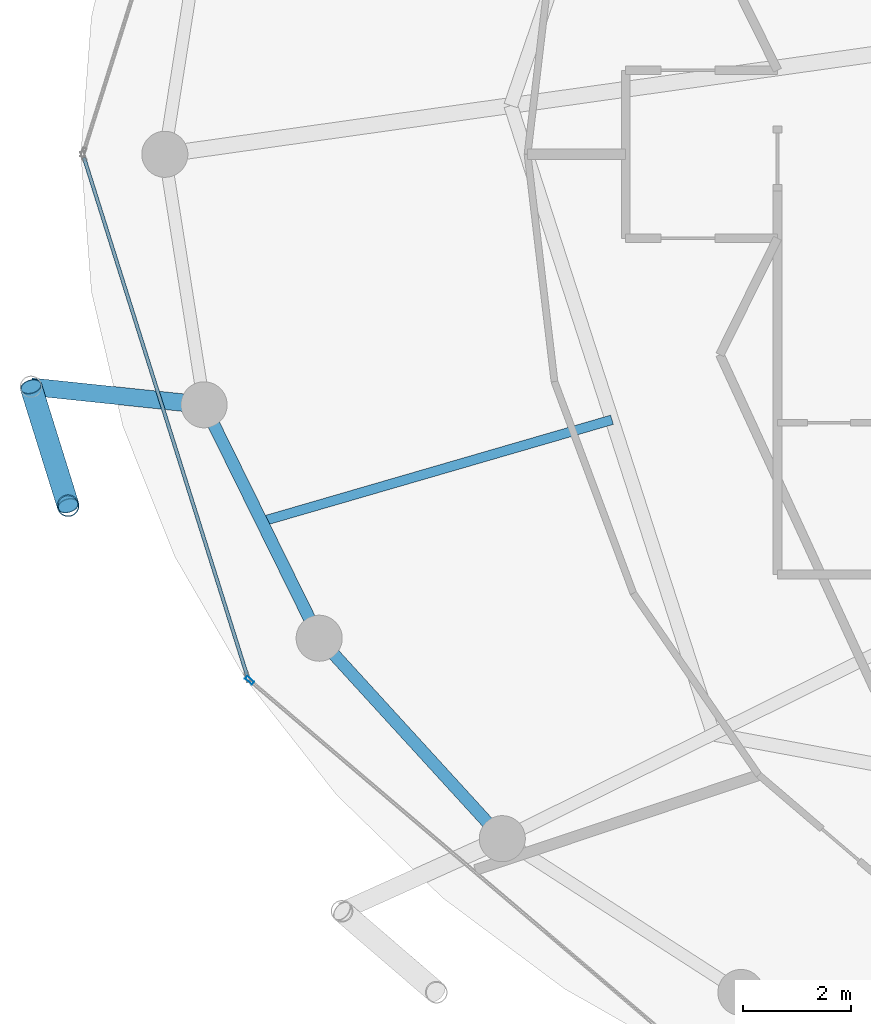
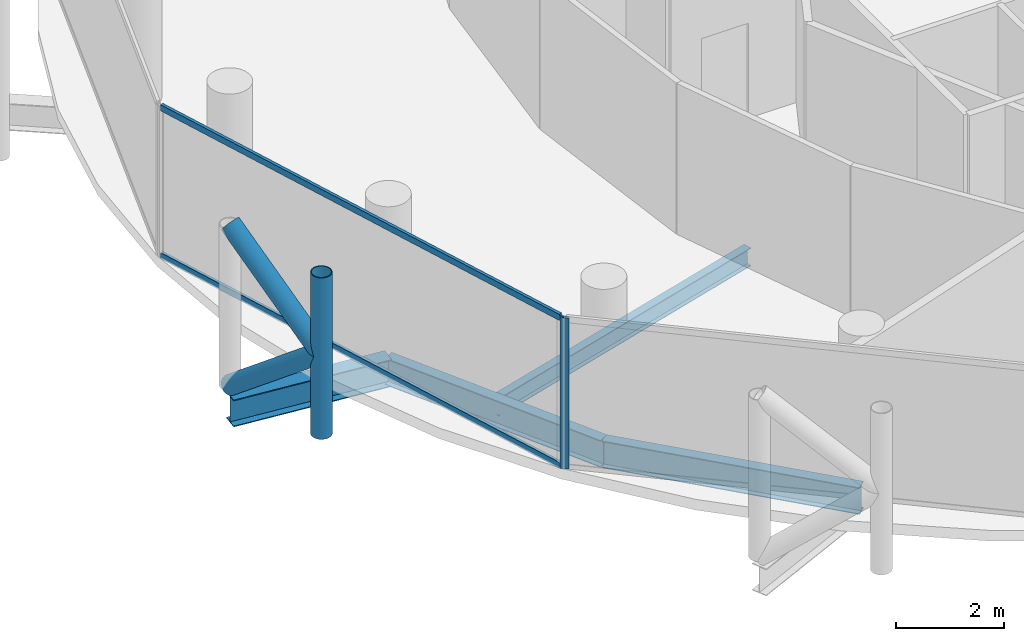
# One storey, part 3 of 27: 6 members, 4 beams, 2 elements without a shape of their own.
"""IFC4 building model written with IfcOpenShell, lengths in metres."""

from ifc_helpers import new_model, si_unit, direction, frame, origin, origin_2d, place, context, subcontext, project, spatial, hollow_rectangle, hollow_circle, i_section, extrude, material, layer, layer_set, material_profile, profile_set, type_object, element, aggregate, save


model = new_model("IFC4")

# Units and contexts
model_context = context("Model", 3, precision=1e-05, world=origin(), true_north=direction((0.0, 1.0)))
body_context = subcontext(model_context, "Body", "Model", "MODEL_VIEW")
ifc_project = project(units=[si_unit("LENGTHUNIT", "METRE"), si_unit("AREAUNIT", "SQUARE_METRE"), si_unit("VOLUMEUNIT", "CUBIC_METRE"), si_unit("PLANEANGLEUNIT", "RADIAN"), si_unit("MASSUNIT", "GRAM", prefix="KILO")], contexts=[model_context])

# Site, building, storey
site_placement = place(None, origin())
site = spatial("IfcSite", under=ifc_project, at=site_placement, CompositionType="ELEMENT")
building_placement = place(site_placement, origin())
building = spatial("IfcBuilding", under=site, at=building_placement, Name="Nuhasar Tower", CompositionType="ELEMENT")
storey_placement = place(building_placement, frame((0.0, 0.0, 230.050048828125)))
storey = spatial("IfcBuildingStorey", under=building, at=storey_placement, Name="L56", CompositionType="ELEMENT", Elevation=230.050048828125)

# Beams
ifc_material_1 = material(Name="Steel S355", Category="steel")
ifc_material_profile_1 = material_profile(ifc_material_1, i_section(OverallWidth=0.177978515625, OverallDepth=0.406005859375, WebThickness=0.0078125, FlangeThickness=0.0126953125, at=origin_2d()), Name="W16X40")
ifc_profile_set_1 = profile_set([ifc_material_profile_1], Name="Steel S355")
beam_type_1 = type_object("IfcBeamType", Name="BM-JST-W16X40", PredefinedType="JOIST", material=ifc_profile_set_1)
beam_1_placement = place(storey_placement, frame((25.9970703125, 21.904052734375, -0.443115234375), z_axis=(-0.960312689798, -0.27892568511, 0.0), x_axis=(0.27892568511, -0.960312689798, 0.0)))
element("IfcBeam", 1, at=beam_1_placement, inside=storey, type_object=beam_type_1, Name="L56 Secondary Floor Joist 08", PredefinedType="JOIST", context=body_context, shape_type="SweptSolid", body=[
    extrude(i_section(OverallWidth=0.177978515625, OverallDepth=0.406005859375, WebThickness=0.0078125, FlangeThickness=0.0126953125, at=origin_2d()), origin(), (0.0, 0.0, 1.0), 6.729248046875),
])
ifc_material_profile_2 = material_profile(ifc_material_1, i_section(OverallWidth=0.22802734375, OverallDepth=0.60791015625, WebThickness=0.01123046875, FlangeThickness=0.017333984375, at=origin_2d()), Name="W24X76")
ifc_profile_set_2 = profile_set([ifc_material_profile_2], Name="Steel S355")
beam_type_2 = type_object("IfcBeamType", Name="BM-RING-W24X76", PredefinedType="SPANDREL", material=ifc_profile_set_2)
beam_2_placement = place(storey_placement, frame((18.47412109375, 22.179931640625, -0.5439453125), z_axis=(0.442262779282, -0.896885518928, 0.0), x_axis=(0.896885518928, 0.442262779282, 0.0)))
element("IfcBeam", 2, at=beam_2_placement, inside=storey, type_object=beam_type_2, Name="L56 Perimeter Ring Spandrel 14", PredefinedType="SPANDREL", context=body_context, shape_type="SweptSolid", body=[
    extrude(i_section(OverallWidth=0.22802734375, OverallDepth=0.60791015625, WebThickness=0.01123046875, FlangeThickness=0.017333984375, at=origin_2d()), origin(), (0.0, 0.0, 1.0), 4.7998046875),
])
beam_3_placement = place(storey_placement, frame((20.596923828125, 17.875, -0.5439453125), z_axis=(0.674449692975, -0.738320805373, 0.0), x_axis=(0.738320805373, 0.674449692975, 0.0)))
element("IfcBeam", 3, at=beam_3_placement, inside=storey, type_object=beam_type_2, Name="L56 Perimeter Ring Spandrel 15", PredefinedType="SPANDREL", context=body_context, shape_type="SweptSolid", body=[
    extrude(i_section(OverallWidth=0.22802734375, OverallDepth=0.60791015625, WebThickness=0.01123046875, FlangeThickness=0.017333984375, at=origin_2d()), origin(), (0.0, 0.0, 1.0), 5.00732421875),
])
ifc_material_profile_3 = material_profile(ifc_material_1, i_section(OverallWidth=0.323974609375, OverallDepth=0.611083984375, WebThickness=0.0126953125, FlangeThickness=0.01904296875, at=origin_2d()), Name="W24X104")
ifc_profile_set_3 = profile_set([ifc_material_profile_3], Name="Steel S355")
beam_type_3 = type_object("IfcBeamType", Name="BM-TIE-W24X104", PredefinedType="BEAM", material=ifc_profile_set_3)
beam_4_placement = place(storey_placement, frame((18.47412109375, 22.179931640625, -0.545166015625), z_axis=(-0.994571111079, 0.10405914187, 0.0), x_axis=(-0.10405914187, -0.994571111079, 0.0)))
element("IfcBeam", 4, at=beam_4_placement, inside=storey, type_object=beam_type_3, Name="L56 Exoskeleton Node Tie Beam 07", PredefinedType="BEAM", context=body_context, shape_type="SweptSolid", body=[
    extrude(i_section(OverallWidth=0.323974609375, OverallDepth=0.611083984375, WebThickness=0.0126953125, FlangeThickness=0.01904296875, at=origin_2d()), origin(), (0.0, 0.0, 1.0), 3.20947265625),
])

# Curtain wall, member
ifc_material_2 = material(Name="Aluminium 6063-T6", Category="aluminium")
ifc_layer = layer(ifc_material_2, 0.18994140625)
ifc_layer_set = layer_set([ifc_layer], Name="Aluminium 6063-T6")
curtain_wall_type = type_object("IfcCurtainWallType", Name="CW-Z3-RES", PredefinedType="NOTDEFINED", material=ifc_layer_set)
curtain_wall_1_placement = place(storey_placement, origin())
curtain_wall_1 = element("IfcCurtainWall", 5, at=curtain_wall_1_placement, inside=storey, type_object=curtain_wall_type, Name="L56 Unitised Curtain Wall 08", PredefinedType="NOTDEFINED")
ifc_material_profile_4 = material_profile(ifc_material_2, hollow_rectangle(XDim=0.06494140625, YDim=0.169921875, WallThickness=0.0048828125, at=origin_2d()), Name="CWM-4")
ifc_profile_set_4 = profile_set([ifc_material_profile_4], Name="Aluminium 6063-T6")
member_type_1 = type_object("IfcMemberType", Name="CW-MUL-S4", PredefinedType="MULLION", material=ifc_profile_set_4)
member_1_placement = place(storey_placement, frame((19.313720703125, 17.098876953125, 0.0), z_axis=(0.0, 0.0, 1.0), x_axis=(0.64789521578, 0.761729472562, 0.0)))
member_1 = element("IfcMember", 6, at=member_1_placement, type_object=member_type_1, Name="CW-Z3 mullion 1", PredefinedType="MULLION", context=body_context, shape_type="SweptSolid", body=[
    extrude(hollow_rectangle(XDim=0.06494140625, YDim=0.169921875, WallThickness=0.0048828125, at=origin_2d()), origin(), (0.0, 0.0, 1.0), 3.409912109375),
])
aggregate(curtain_wall_1, [member_1])

# Curtain wall, members
curtain_wall_2_placement = place(storey_placement, origin())
curtain_wall_2 = element("IfcCurtainWall", 7, at=curtain_wall_2_placement, inside=storey, type_object=curtain_wall_type, Name="L56 Unitised Curtain Wall 07", PredefinedType="NOTDEFINED")
ifc_material_profile_5 = material_profile(ifc_material_2, hollow_rectangle(XDim=0.06494140625, YDim=0.139892578125, WallThickness=0.00439453125, at=origin_2d()), Name="CWT-4")
ifc_profile_set_5 = profile_set([ifc_material_profile_5], Name="Aluminium 6063-T6")
member_type_2 = type_object("IfcMemberType", Name="CW-TRN-S4", PredefinedType="USERDEFINED", material=ifc_profile_set_5)
member_2_placement = place(storey_placement, frame((16.259521484375, 26.738037109375, 0.032470703125), z_axis=(0.300430390604, -0.953803743126, 0.0), x_axis=(0.953803743126, 0.300430390604, 0.0)))
member_2 = element("IfcMember", 8, at=member_2_placement, type_object=member_type_2, Name="CW-Z3 transom 1.1", ObjectType="TRANSOM", PredefinedType="USERDEFINED", context=body_context, shape_type="SweptSolid", body=[
    extrude(hollow_rectangle(XDim=0.06494140625, YDim=0.139892578125, WallThickness=0.00439453125, at=origin_2d()), origin(), (0.0, 0.0, 1.0), 10.01904296875),
])
member_3_placement = place(storey_placement, frame((16.259521484375, 26.738037109375, 3.37744140625), z_axis=(0.300430390604, -0.953803743126, 0.0), x_axis=(0.953803743126, 0.300430390604, 0.0)))
member_3 = element("IfcMember", 9, at=member_3_placement, type_object=member_type_2, Name="CW-Z3 transom 1.2", ObjectType="TRANSOM", PredefinedType="USERDEFINED", context=body_context, shape_type="SweptSolid", body=[
    extrude(hollow_rectangle(XDim=0.06494140625, YDim=0.139892578125, WallThickness=0.00439453125, at=origin_2d()), origin(), (0.0, 0.0, 1.0), 10.01904296875),
])
aggregate(curtain_wall_2, [member_2, member_3])

# Members
ifc_material_3 = material(Name="Steel S460", Category="steel")
ifc_material_profile_6 = material_profile(ifc_material_3, hollow_circle(Radius=0.203125, WallThickness=0.01904296875, at=origin_2d()), Name="HSS406.4X19.1")
ifc_profile_set_6 = profile_set([ifc_material_profile_6], Name="Steel S460")
member_type_3 = type_object("IfcMemberType", Name="EXO-BRONZE-406", PredefinedType="BRACE", material=ifc_profile_set_6)
member_4_placement = place(storey_placement, frame((15.967041015625, 20.319091796875, 0.0), z_axis=(0.0, 0.0, 1.0), x_axis=(1.0, 0.0, 0.0)))
element("IfcMember", 10, at=member_4_placement, inside=storey, type_object=member_type_3, Name="L56 Exoskeleton Chord Column EC-07B", PredefinedType="BRACE", context=body_context, shape_type="SweptSolid", body=[
    extrude(hollow_circle(Radius=0.203125, WallThickness=0.01904296875, at=origin_2d()), origin(), (0.0, 0.0, 1.0), 3.64990234375),
])
for number, where, z_axis, x_axis, name in (
    (11, (15.281982421875, 22.513916015625, 0.0), (0.233372423355, -0.747689980743, 0.621688832709), (0.954581948223, 0.297948492404, 0.0), "L56 Bronze Diagrid Brace W1-07"),
    (12, (15.967041015625, 20.319091796875, 1.824951171875), (-0.233372423355, 0.747689980743, 0.621688832709), (-0.954581948223, -0.297948492404, 0.0), "L56 Bronze Diagrid Brace W2-07"),
):
    element("IfcMember", number, at=place(storey_placement, frame(where, z_axis=z_axis, x_axis=x_axis)), inside=storey, type_object=member_type_3, Name=name, PredefinedType="BRACE", context=body_context, shape_type="SweptSolid", body=[
        extrude(hollow_circle(Radius=0.203125, WallThickness=0.01904296875, at=origin_2d()), origin(), (0.0, 0.0, 1.0), 2.935546875),
    ])

save(model, "model.ifc")
